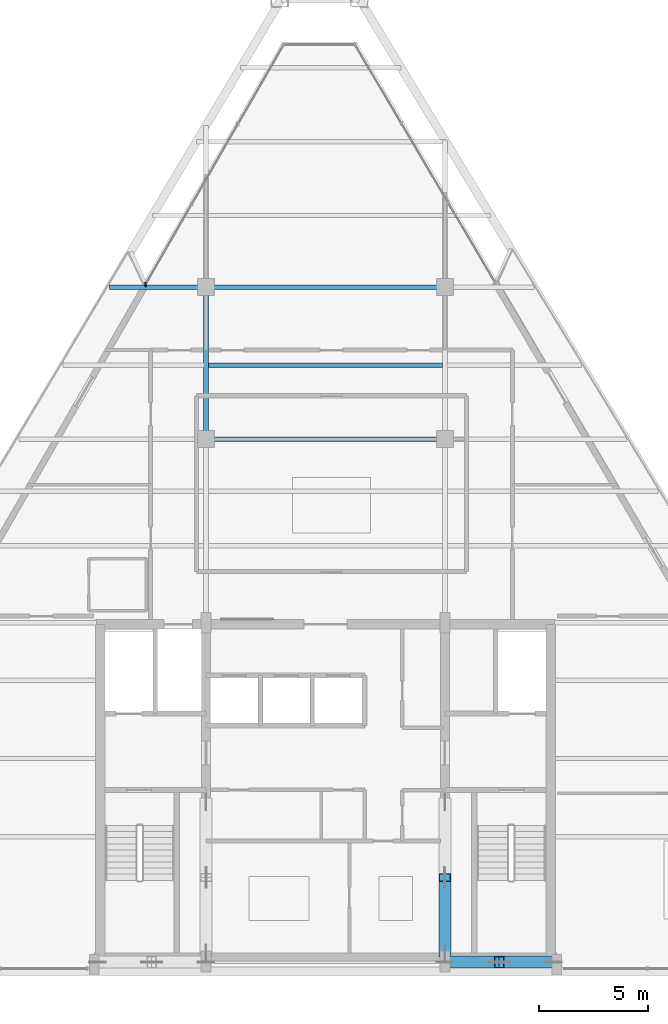
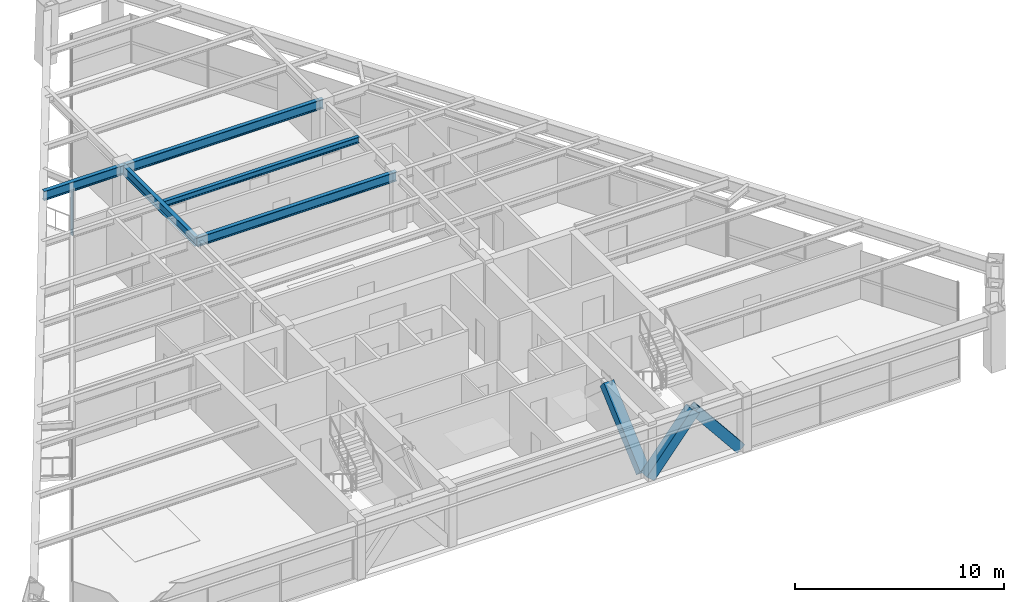
# One storey, part 4 of 13: 5 beams, 5 members, 1 element without a shape of its own.
"""IFC4 building model written with IfcOpenShell, lengths in metres."""

from ifc_helpers import new_model, si_unit, direction, frame, origin, origin_2d, place, context, subcontext, project, spatial, rectangle, hollow_rectangle, i_section, extrude, source, transform, mapped, material, material_profile, profile_set, type_object, type_shapes, element, aggregate, save


model = new_model("IFC4")

# Units and contexts
model_context = context("Model", 3, precision=1e-05, world=origin(), true_north=direction((0.0, 1.0)))
body_context = subcontext(model_context, "Body", "Model", "MODEL_VIEW")
ifc_project = project(units=[si_unit("LENGTHUNIT", "METRE"), si_unit("AREAUNIT", "SQUARE_METRE"), si_unit("VOLUMEUNIT", "CUBIC_METRE"), si_unit("PLANEANGLEUNIT", "RADIAN"), si_unit("MASSUNIT", "GRAM", prefix="KILO")], contexts=[model_context])

# Site, building, storey
site_placement = place(None, origin())
site = spatial("IfcSite", under=ifc_project, at=site_placement, CompositionType="ELEMENT")
building_placement = place(site_placement, origin())
building = spatial("IfcBuilding", under=site, at=building_placement, Name="Varnakhor Terracotta Tower", CompositionType="ELEMENT")
storey_placement = place(building_placement, frame((0.0, 0.0, 279.89990234375)))
storey = spatial("IfcBuildingStorey", under=building, at=storey_placement, Name="L73", CompositionType="ELEMENT", Elevation=279.89990234375)

# Beams
ifc_material_1 = material(Name="Steel S355", Category="steel")
ifc_material_profile_1 = material_profile(ifc_material_1, i_section(OverallWidth=0.214111328125, OverallDepth=0.549072265625, WebThickness=0.014892578125, FlangeThickness=0.02392578125, FilletRadius=0.01806640625, at=origin_2d()), Name="W21X93")
ifc_profile_set_1 = profile_set([ifc_material_profile_1], Name="Steel S355")
beam_type_1 = type_object("IfcBeamType", Name="BM-W21X93", PredefinedType="BEAM", material=ifc_profile_set_1)
shared_shape_1 = source(origin(), body_context, "Body", "SweptSolid", [
    extrude(i_section(OverallWidth=0.214111328125, OverallDepth=0.549072265625, WebThickness=0.014892578125, FlangeThickness=0.02392578125, FilletRadius=0.01806640625, at=origin_2d()), origin(), (0.0, 0.0, 1.0), 7.0),
])
beam_1_placement = place(storey_placement, frame((-5.5, 24.5, 2.965576171875), z_axis=(0.0, 1.0, 0.0), x_axis=(-1.0, 0.0, 0.0)))
element("IfcBeam", 1, at=beam_1_placement, inside=storey, type_object=beam_type_1, Name="L73 Primary Girder NS2-W", PredefinedType="BEAM", context=body_context, shape_type="MappedRepresentation", body=[
    mapped(shared_shape_1, transform((0.0, 0.0, 0.0), scale=1.0)),
])
shared_shape_2 = source(origin(), body_context, "Body", "SweptSolid", [
    extrude(i_section(OverallWidth=0.214111328125, OverallDepth=0.549072265625, WebThickness=0.014892578125, FlangeThickness=0.02392578125, FilletRadius=0.01806640625, at=origin_2d()), origin(), (0.0, 0.0, 1.0), 11.0),
])
for number, where, z_axis, x_axis, name in (
    (2, (-5.5, 24.5, 2.965576171875), (1.0, 0.0, 0.0), (0.0, 1.0, 0.0), "L73 Primary Girder EW2-2"),
    (3, (-5.5, 31.5, 2.965576171875), (1.0, 0.0, 0.0), (0.0, 1.0, 0.0), "L73 Primary Girder EW3-2"),
):
    element("IfcBeam", number, at=place(storey_placement, frame(where, z_axis=z_axis, x_axis=x_axis)), inside=storey, type_object=beam_type_1, Name=name, PredefinedType="BEAM", context=body_context, shape_type="MappedRepresentation", body=[
        mapped(shared_shape_2, transform((0.0, 0.0, 0.0), scale=1.0)),
    ])
ifc_material_profile_2 = material_profile(ifc_material_1, i_section(OverallWidth=0.202880859375, OverallDepth=0.346923828125, WebThickness=0.0078125, FlangeThickness=0.013427734375, FilletRadius=0.01806640625, at=origin_2d()), Name="W14X43")
ifc_profile_set_2 = profile_set([ifc_material_profile_2], Name="Steel S355")
beam_type_2 = type_object("IfcBeamType", Name="JST-W14X43", PredefinedType="JOIST", material=ifc_profile_set_2)
shared_shape_3 = source(origin(), body_context, "Body", "SweptSolid", [
    extrude(i_section(OverallWidth=0.202880859375, OverallDepth=0.346923828125, WebThickness=0.0078125, FlangeThickness=0.013427734375, FilletRadius=0.01806640625, at=origin_2d()), origin(), (0.0, 0.0, 1.0), 10.7939453125),
])
beam_2_placement = place(storey_placement, frame((-5.39697265625, 27.89990234375, 3.066650390625), z_axis=(1.0, 0.0, 0.0), x_axis=(0.0, 1.0, 0.0)))
element("IfcBeam", 4, at=beam_2_placement, inside=storey, type_object=beam_type_2, Name="L73 Composite Floor Joist 6-2", PredefinedType="JOIST", context=body_context, shape_type="MappedRepresentation", body=[
    mapped(shared_shape_3, transform((0.0, 0.0, 0.0), scale=1.0)),
])

# Members
ifc_material_profile_3 = material_profile(ifc_material_1, hollow_rectangle(XDim=0.550048828125, YDim=0.550048828125, WallThickness=0.034912109375, at=origin_2d()), Name="HSS550X550X35")
ifc_profile_set_3 = profile_set([ifc_material_profile_3], Name="Steel S355")
member_type_1 = type_object("IfcMemberType", Name="MBR-MEGA-550", PredefinedType="BRACE", material=ifc_profile_set_3)
shared_shape_4 = source(origin(), body_context, "Body", "SweptSolid", [
    extrude(hollow_rectangle(XDim=0.550048828125, YDim=0.550048828125, WallThickness=0.034912109375, at=origin_2d()), origin(), (0.0, 0.0, 1.0), 3.974853515625),
])
for number, where, z_axis, x_axis, name in (
    (5, (5.5, 0.419921875, 0.0), (0.628970263838, 0.0, 0.777429358339), (0.0, 1.0, 0.0), "L73 Core Coupled Brace CSEA"),
    (6, (10.5, 0.419921875, 0.0), (-0.628970263838, 0.0, 0.777429358339), (0.0, -1.0, 0.0), "L73 Core Coupled Brace CSEB"),
):
    element("IfcMember", number, at=place(storey_placement, frame(where, z_axis=z_axis, x_axis=x_axis)), inside=storey, type_object=member_type_1, Name=name, PredefinedType="BRACE", context=body_context, shape_type="MappedRepresentation", body=[
        mapped(shared_shape_4, transform((0.0, 0.0, 0.0), scale=1.0)),
    ])
shared_shape_5 = source(origin(), body_context, "Body", "SweptSolid", [
    extrude(hollow_rectangle(XDim=0.550048828125, YDim=0.550048828125, WallThickness=0.034912109375, at=origin_2d()), origin(), (0.0, 0.0, 1.0), 4.650146484375),
])
member_1_placement = place(storey_placement, frame((5.5, 0.85009765625, 0.0), z_axis=(0.0, 0.74726736397, 0.664523503532), x_axis=(-1.0, 0.0, 0.0)))
element("IfcMember", 7, at=member_1_placement, inside=storey, type_object=member_type_1, Name="L73 Core Coupled Brace CWEA", PredefinedType="BRACE", context=body_context, shape_type="MappedRepresentation", body=[
    mapped(shared_shape_5, transform((0.0, 0.0, 0.0), scale=1.0)),
])

# Beam
shared_shape_6 = source(origin(), body_context, "Body", "SweptSolid", [
    extrude(i_section(OverallWidth=0.214111328125, OverallDepth=0.549072265625, WebThickness=0.014892578125, FlangeThickness=0.02392578125, FilletRadius=0.01806640625, at=origin_2d()), origin(), (0.0, 0.0, 1.0), 4.435791015625),
])
beam_3_placement = place(storey_placement, frame((-9.935791015625, 31.5, 2.965576171875), z_axis=(1.0, 0.0, 0.0), x_axis=(0.0, 1.0, 0.0)))
element("IfcBeam", 8, at=beam_3_placement, inside=storey, type_object=beam_type_1, Name="L73 Primary Girder EW3-1", PredefinedType="BEAM", context=body_context, shape_type="MappedRepresentation", body=[
    mapped(shared_shape_6, transform((0.0, 0.0, 0.0), scale=1.0)),
])

# Curtain wall, members
ifc_material_2 = material(Name="Anodised Aluminium Curtain Wall System", Category="aluminium")
curtain_wall_type = type_object("IfcCurtainWallType", Name="CW-SYS-HOTEL-LOGGIA", PredefinedType="NOTDEFINED", material=ifc_material_2)
curtain_wall_placement = place(storey_placement, origin())
curtain_wall = element("IfcCurtainWall", 9, at=curtain_wall_placement, inside=storey, type_object=curtain_wall_type, Name="L73 W Facet Curtain Wall 2", PredefinedType="NOTDEFINED")
ifc_material_3 = material(Name="Anodised Aluminium 6063-T6", Category="aluminium")
ifc_material_profile_4 = material_profile(ifc_material_3, rectangle(XDim=0.06494140625, YDim=0.159912109375, at=origin_2d()), Name="ALU MULLION 65x160")
ifc_profile_set_4 = profile_set([ifc_material_profile_4], Name="Anodised Aluminium 6063-T6")
member_type_2 = type_object("IfcMemberType", Name="CWM-04", PredefinedType="MULLION", material=ifc_profile_set_4)
shared_shape_7 = source(origin(), body_context, "Body", "SweptSolid", [
    extrude(rectangle(XDim=0.06494140625, YDim=0.159912109375, at=origin_2d()), origin(), (0.0, 0.0, 1.0), 2.820068359375),
])
type_shapes(member_type_2, [shared_shape_7])
member_2_placement = place(storey_placement, frame((-8.280029296875, 31.63671875, 0.0), z_axis=(0.0, 0.0, 1.0), x_axis=(1.0, 0.0, 0.0)))
member_2 = element("IfcMember", 10, at=member_2_placement, type_object=member_type_2, Name="L73 W Facet Curtain Wall 2 Mullion 1", PredefinedType="MULLION", context=body_context, shape_type="MappedRepresentation", body=[
    mapped(shared_shape_7, transform((0.0, 0.0, 0.0), scale=1.0)),
])
member_3_placement = place(storey_placement, frame((-8.27783203125, 31.6005859375, 0.0), z_axis=(0.0, 0.0, 1.0), x_axis=(1.0, 0.0, 0.0)))
member_3 = element("IfcMember", 11, at=member_3_placement, type_object=member_type_2, Name="L73 W Loggia Jamb Closure Mullion 2", PredefinedType="MULLION", context=body_context, shape_type="MappedRepresentation", body=[
    mapped(shared_shape_7, transform((0.0, 0.0, 0.0), scale=1.0)),
])
aggregate(curtain_wall, [member_2, member_3])

save(model, "model.ifc")
